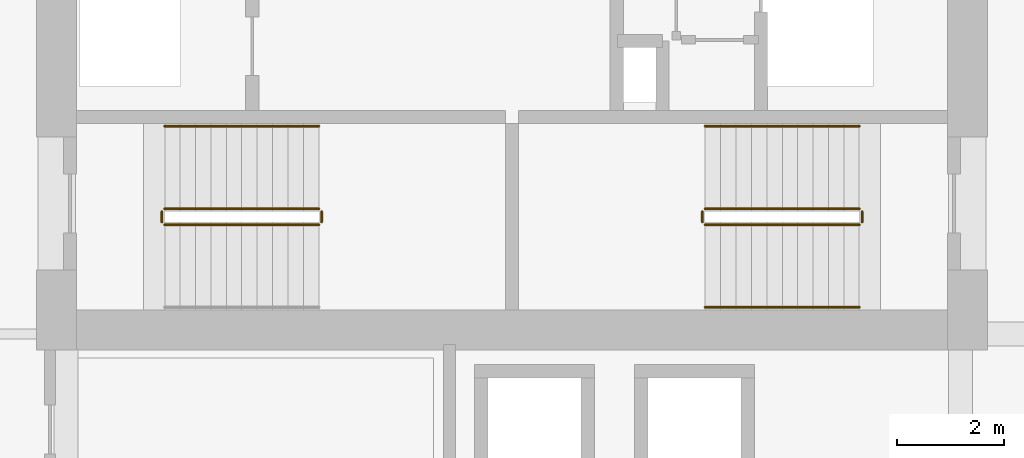
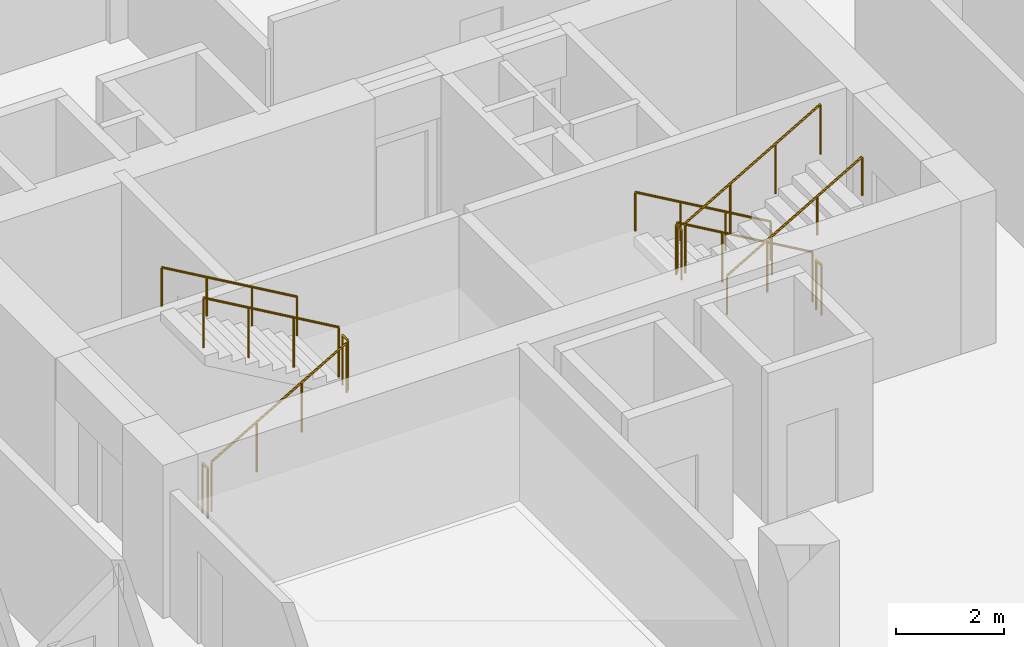
# One storey, part 20 of 22: 11 railings.
"""IFC4 building model written with IfcOpenShell, lengths in metres."""

import ifcopenshell
import ifcopenshell.guid

model = None  # the IFC model being written
_history = None  # IfcOwnerHistory: only IFC2X3 demands one
_inside = {}  # id of a spatial element -> (the spatial element, [elements in it])
_under = {}  # id of a project, library or spatial element -> (it, [spatial elements below it])
_declared = {}  # id of a project -> (the project, [libraries it declares])
_typed = {}  # id of a type object -> (the type object, [elements of that type])
_made_of = {}  # id of a material, layer set ... -> (it, [elements and type objects made of it])


def new_model(schema):
    """Start an empty IFC model of exactly this schema.

    Asked for "IFC4X3", IfcOpenShell would pick the latest addendum, in which some entities
    have other attributes; the version numbers below select the first issue.
    IFC2X3 requires an IfcOwnerHistory on every rooted entity: one is made here for all.
    """
    global model, _history
    if schema == "IFC4X3":
        model = ifcopenshell.file(schema_version=(4, 3, 0, 0))
    else:
        model = ifcopenshell.file(schema=schema)
    _inside.clear()
    _under.clear()
    _declared.clear()
    _typed.clear()
    _made_of.clear()
    _history = None
    if model.schema == "IFC2X3":
        org = make("IfcOrganization", Name="unknown")
        user = make(
            "IfcPersonAndOrganization",
            ThePerson=make("IfcPerson", FamilyName="unknown"),
            TheOrganization=org,
        )
        app = make(
            "IfcApplication",
            ApplicationDeveloper=org,
            Version="unknown",
            ApplicationFullName="unknown",
            ApplicationIdentifier="unknown",
        )
        _history = make(
            "IfcOwnerHistory",
            OwningUser=user,
            OwningApplication=app,
            ChangeAction="ADDED",
            CreationDate=0,
        )
    return model


def make(cls, **values):
    """One entity of the class cls with the attributes given. An attribute that is None is left unset."""
    return model.create_entity(
        cls, **{name: value for name, value in values.items() if value is not None}
    )


def rooted(cls, **values):
    """An entity with a GlobalId (a new one), such as an element, a storey or a relation."""
    return make(cls, GlobalId=ifcopenshell.guid.new(), OwnerHistory=_history, **values)


def si_unit(unit_type, name, prefix=None):
    """IfcSIUnit, for example si_unit("LENGTHUNIT", "METRE", prefix="MILLI")."""
    return make("IfcSIUnit", UnitType=unit_type, Prefix=prefix, Name=name)


def assignment(units):
    """IfcUnitAssignment: the units of a project."""
    return None if units is None else make("IfcUnitAssignment", Units=units)


def point(xyz):
    """IfcCartesianPoint."""
    return None if xyz is None else make("IfcCartesianPoint", Coordinates=xyz)


def direction(xyz):
    """IfcDirection."""
    return None if xyz is None else make("IfcDirection", DirectionRatios=xyz)


def frame(location, z_axis=None, x_axis=None):
    """IfcAxis2Placement3D, a coordinate frame: its origin and axes. An axis left out is left unset."""
    return make(
        "IfcAxis2Placement3D",
        Location=point(location),
        Axis=direction(z_axis),
        RefDirection=direction(x_axis),
    )


def frame_2d(location, x_axis=None):
    """IfcAxis2Placement2D, a coordinate frame in the plane: its origin and x axis."""
    return make(
        "IfcAxis2Placement2D", Location=point(location), RefDirection=direction(x_axis)
    )


def origin():
    """The frame at (0, 0, 0) with its axes left unset."""
    return frame((0.0, 0.0, 0.0))


def origin_2d():
    """The frame at (0, 0) in the plane with its x axis left unset."""
    return frame_2d((0.0, 0.0))


def place(relative_to, where):
    """IfcLocalPlacement: puts the frame where relative to a parent placement (None: the world)."""
    return make(
        "IfcLocalPlacement", PlacementRelTo=relative_to, RelativePlacement=where
    )


def context(
    kind, dimensions, precision=None, world=None, true_north=None, identifier=None
):
    """IfcGeometricRepresentationContext, for example the 3D "Model" context."""
    return make(
        "IfcGeometricRepresentationContext",
        ContextIdentifier=identifier,
        ContextType=kind,
        CoordinateSpaceDimension=dimensions,
        Precision=precision,
        WorldCoordinateSystem=world,
        TrueNorth=true_north,
    )


def subcontext(parent, identifier, kind, view, scale=None):
    """IfcGeometricRepresentationSubContext, for example "Body" below "Model"."""
    return make(
        "IfcGeometricRepresentationSubContext",
        ContextIdentifier=identifier,
        ContextType=kind,
        ParentContext=parent,
        TargetScale=scale,
        TargetView=view,
    )


def project(units=None, contexts=None):
    """IfcProject with its units and contexts."""
    return rooted(
        "IfcProject",
        Name="project",
        RepresentationContexts=contexts,
        UnitsInContext=assignment(units),
    )


def spatial(cls, under=None, at=None, **own):
    """A site, building, storey or space (cls), placed at a placement, below another one or the project."""
    s = rooted(cls, ObjectPlacement=at, **own)
    if under is not None:
        _under.setdefault(under.id(), (under, []))[1].append(s)
    return s


def profile(cls, at=None, kind="AREA", **sizes):
    """A parametric profile (cls). Its sizes go by their IFC names, for example OverallWidth=200.0."""
    return make(cls, ProfileType=kind, Position=at, **sizes)


def circle(**sizes):
    """IfcCircleProfileDef."""
    return profile("IfcCircleProfileDef", **sizes)


def extrude(swept, where, along, depth):
    """IfcExtrudedAreaSolid: the profile swept, set in the frame where, extruded along a direction by depth."""
    return make(
        "IfcExtrudedAreaSolid",
        SweptArea=swept,
        Position=where,
        ExtrudedDirection=direction(along),
        Depth=depth,
    )


def shape(context_of_items, identifier, shape_type, items):
    """IfcShapeRepresentation: the items that make up one representation, for example the "Body"."""
    return make(
        "IfcShapeRepresentation",
        ContextOfItems=context_of_items,
        RepresentationIdentifier=identifier,
        RepresentationType=shape_type,
        Items=items,
    )


def material(Name=None, Category=None):
    """IfcMaterial."""
    return make("IfcMaterial", Name=Name, Category=Category)


def made_of(thing, what):
    """Note that an element or type object is made of a material, layer set ...; save() writes the relation."""
    if what is not None:
        _made_of.setdefault(what.id(), (what, []))[1].append(thing)
    return thing


def type_object(cls, material=None, **own):
    """A type object (cls), such as IfcWallType, which elements share."""
    return made_of(rooted(cls, **own), material)


def element(
    cls,
    number,
    at=None,
    inside=None,
    cuts=None,
    type_object=None,
    material=None,
    context=None,
    identifier="Body",
    shape_type=None,
    held_by="IfcProductDefinitionShape",
    body=None,
    shapes=None,
    **own,
):
    """One element of the class cls, such as IfcWall. Its Tag is "e" and its number.

    at: its placement. inside: the storey or other place that contains it. cuts: it is an
    opening in that element (IfcRelVoidsElement). A single representation is given by context,
    identifier, shape_type and body (its items); several are given by shapes. held_by: the class
    of the entity that holds the representations. save() writes the other relations.
    """
    e = rooted(cls, Tag="e%d" % number, ObjectPlacement=at, **own)
    if body is not None:
        shapes = [shape(context, identifier, shape_type, body)]
    if shapes is not None:
        e.Representation = make(held_by, Representations=shapes)
    if inside is not None:
        _inside.setdefault(inside.id(), (inside, []))[1].append(e)
    if cuts is not None:
        rooted(
            "IfcRelVoidsElement", RelatingBuildingElement=cuts, RelatedOpeningElement=e
        )
    if type_object is not None:
        _typed.setdefault(type_object.id(), (type_object, []))[1].append(e)
    return made_of(e, material)


def aggregate(whole, parts):
    """IfcRelAggregates: a whole, such as a stair, and the parts it consists of."""
    return rooted("IfcRelAggregates", RelatingObject=whole, RelatedObjects=parts)


def save(model, path):
    """Write the relations noted so far, then the file.

    IfcRelAggregates (storeys below a building ...), IfcRelContainedInSpatialStructure (elements
    in a storey), IfcRelDefinesByType, IfcRelAssociatesMaterial and IfcRelDeclares: one each for
    every whole, place, type object, material and project.
    """
    for whole, parts in _under.values():
        aggregate(whole, parts)
    for where, things in _inside.values():
        rooted(
            "IfcRelContainedInSpatialStructure",
            RelatedElements=things,
            RelatingStructure=where,
        )
    for kind, things in _typed.values():
        rooted("IfcRelDefinesByType", RelatedObjects=things, RelatingType=kind)
    for what, things in _made_of.values():
        rooted("IfcRelAssociatesMaterial", RelatedObjects=things, RelatingMaterial=what)
    for by, libraries in _declared.values():
        rooted("IfcRelDeclares", RelatingContext=by, RelatedDefinitions=libraries)
    model.write(path)


model = new_model("IFC4")

# Units and contexts
model_context = context("Model", 3, precision=1e-05, world=origin(), true_north=direction((0.0, 1.0)))
body_context = subcontext(model_context, "Body", "Model", "MODEL_VIEW")
ifc_project = project(units=[si_unit("LENGTHUNIT", "METRE"), si_unit("AREAUNIT", "SQUARE_METRE"), si_unit("VOLUMEUNIT", "CUBIC_METRE"), si_unit("PLANEANGLEUNIT", "RADIAN"), si_unit("MASSUNIT", "GRAM", prefix="KILO")], contexts=[model_context])

# Site, building, storey
site_placement = place(None, origin())
site = spatial("IfcSite", under=ifc_project, at=site_placement, CompositionType="ELEMENT")
building_placement = place(site_placement, origin())
building = spatial("IfcBuilding", under=site, at=building_placement, Name="Koriwani Terraces Tower", CompositionType="ELEMENT")
storey_placement = place(building_placement, frame((0.0, 0.0, 182.800048828125)))
storey = spatial("IfcBuildingStorey", under=building, at=storey_placement, Name="L44", CompositionType="ELEMENT", Elevation=182.800048828125)

# Railings
ifc_material = material(Name="Steel ASTM A572 Grade 50", Category="steel")
railing_type_1 = type_object("IfcRailingType", Name="GUARD_STAIR_WELL_1120", PredefinedType="GUARDRAIL", material=ifc_material)
railing_1_placement = place(storey_placement, frame((43.85009765625, 18.85009765625, 0.168212890625)))
element("IfcRailing", 1, at=railing_1_placement, inside=storey, type_object=railing_type_1, Name="L44 ST-E1 stair guard 1", PredefinedType="GUARDRAIL", context=body_context, shape_type="SweptSolid", body=[
    extrude(circle(Radius=0.02392578125, at=origin_2d()), frame((0.0, 0.0, 1.1259765625), z_axis=(0.86507038078, 0.0, 0.501650512107), x_axis=(0.0, 1.0, 0.0)), (0.0, 0.0, 1.0), 3.352294921875),
    extrude(circle(Radius=0.02099609375, at=origin_2d()), origin(), (0.0, 0.0, 1.0), 1.101806640625),
    extrude(circle(Radius=0.02099609375, at=origin_2d()), frame((0.966552734375, 0.0, 0.560546875)), (0.0, 0.0, 1.0), 1.101806640625),
    extrude(circle(Radius=0.02099609375, at=origin_2d()), frame((1.933349609375, 0.0, 1.12109375)), (0.0, 0.0, 1.0), 1.101806640625),
    extrude(circle(Radius=0.02099609375, at=origin_2d()), frame((2.89990234375, 0.0, 1.681640625)), (0.0, 0.0, 1.0), 1.101806640625),
])
railing_2_placement = place(storey_placement, frame((46.800048828125, 18.89990234375, 1.849853515625)))
element("IfcRailing", 2, at=railing_2_placement, inside=storey, type_object=railing_type_1, Name="L44 ST-E1 stair guard 2", PredefinedType="GUARDRAIL", context=body_context, shape_type="SweptSolid", body=[
    extrude(circle(Radius=0.02392578125, at=origin_2d()), frame((0.0, 0.0, 1.1259765625), z_axis=(0.0, 1.0, 0.0), x_axis=(-1.0, 0.0, 0.0)), (0.0, 0.0, 1.0), 0.2001953125),
    extrude(circle(Radius=0.02099609375, at=origin_2d()), origin(), (0.0, 0.0, 1.0), 1.101806640625),
    extrude(circle(Radius=0.02099609375, at=origin_2d()), frame((0.0, 0.2001953125, 0.0)), (0.0, 0.0, 1.0), 1.101806640625),
])
railing_3_placement = place(storey_placement, frame((46.75, 19.14990234375, 2.01806640625)))
element("IfcRailing", 3, at=railing_3_placement, inside=storey, type_object=railing_type_1, Name="L44 ST-E1 stair guard 3", PredefinedType="GUARDRAIL", context=body_context, shape_type="SweptSolid", body=[
    extrude(circle(Radius=0.02392578125, at=origin_2d()), frame((0.0, 0.0, 1.1259765625), z_axis=(-0.865038774852, 0.0, 0.501705010941), x_axis=(0.0, -1.0, 0.0)), (0.0, 0.0, 1.0), 3.352294921875),
    extrude(circle(Radius=0.02099609375, at=origin_2d()), origin(), (0.0, 0.0, 1.0), 1.101806640625),
    extrude(circle(Radius=0.02099609375, at=origin_2d()), frame((-0.966552734375, 0.0, 0.560546875)), (0.0, 0.0, 1.0), 1.101806640625),
    extrude(circle(Radius=0.02099609375, at=origin_2d()), frame((-1.933349609375, 0.0, 1.121337890625)), (0.0, 0.0, 1.0), 1.101806640625),
    extrude(circle(Radius=0.02099609375, at=origin_2d()), frame((-2.89990234375, 0.0, 1.681884765625)), (0.0, 0.0, 1.0), 1.101806640625),
])
railing_4_placement = place(storey_placement, frame((43.800048828125, 18.89990234375, 0.0)))
element("IfcRailing", 4, at=railing_4_placement, inside=storey, type_object=railing_type_1, Name="L44 ST-E1 stair guard 4", PredefinedType="GUARDRAIL", context=body_context, shape_type="SweptSolid", body=[
    extrude(circle(Radius=0.02392578125, at=origin_2d()), frame((0.0, 0.0, 1.1259765625), z_axis=(0.0, 1.0, 0.0), x_axis=(-1.0, 0.0, 0.0)), (0.0, 0.0, 1.0), 0.2001953125),
    extrude(circle(Radius=0.02099609375, at=origin_2d()), origin(), (0.0, 0.0, 1.0), 1.101806640625),
    extrude(circle(Radius=0.02099609375, at=origin_2d()), frame((0.0, 0.2001953125, 0.0)), (0.0, 0.0, 1.0), 1.101806640625),
])
railing_5_placement = place(storey_placement, frame((56.89990234375, 19.14990234375, 0.168212890625)))
element("IfcRailing", 5, at=railing_5_placement, inside=storey, type_object=railing_type_1, Name="L44 ST-E2 stair guard 1", PredefinedType="GUARDRAIL", context=body_context, shape_type="SweptSolid", body=[
    extrude(circle(Radius=0.02392578125, at=origin_2d()), frame((0.0, 0.0, 1.1259765625), z_axis=(-0.86507038078, 0.0, 0.501650512107), x_axis=(0.0, -1.0, 0.0)), (0.0, 0.0, 1.0), 3.352294921875),
    extrude(circle(Radius=0.02099609375, at=origin_2d()), origin(), (0.0, 0.0, 1.0), 1.101806640625),
    extrude(circle(Radius=0.02099609375, at=origin_2d()), frame((-0.966552734375, 0.0, 0.560546875)), (0.0, 0.0, 1.0), 1.101806640625),
    extrude(circle(Radius=0.02099609375, at=origin_2d()), frame((-1.933349609375, 0.0, 1.12109375)), (0.0, 0.0, 1.0), 1.101806640625),
    extrude(circle(Radius=0.02099609375, at=origin_2d()), frame((-2.89990234375, 0.0, 1.681640625)), (0.0, 0.0, 1.0), 1.101806640625),
])
railing_6_placement = place(storey_placement, frame((53.949951171875, 19.10009765625, 1.849853515625)))
element("IfcRailing", 6, at=railing_6_placement, inside=storey, type_object=railing_type_1, Name="L44 ST-E2 stair guard 2", PredefinedType="GUARDRAIL", context=body_context, shape_type="SweptSolid", body=[
    extrude(circle(Radius=0.02392578125, at=origin_2d()), frame((0.0, 0.0, 1.1259765625), z_axis=(0.0, -1.0, 0.0), x_axis=(1.0, 0.0, 0.0)), (0.0, 0.0, 1.0), 0.2001953125),
    extrude(circle(Radius=0.02099609375, at=origin_2d()), origin(), (0.0, 0.0, 1.0), 1.101806640625),
    extrude(circle(Radius=0.02099609375, at=origin_2d()), frame((0.0, -0.2001953125, 0.0)), (0.0, 0.0, 1.0), 1.101806640625),
])
railing_7_placement = place(storey_placement, frame((54.0, 18.85009765625, 2.01806640625)))
element("IfcRailing", 7, at=railing_7_placement, inside=storey, type_object=railing_type_1, Name="L44 ST-E2 stair guard 3", PredefinedType="GUARDRAIL", context=body_context, shape_type="SweptSolid", body=[
    extrude(circle(Radius=0.02392578125, at=origin_2d()), frame((0.0, 0.0, 1.1259765625), z_axis=(0.865038774852, 0.0, 0.501705010941), x_axis=(0.0, 1.0, 0.0)), (0.0, 0.0, 1.0), 3.352294921875),
    extrude(circle(Radius=0.02099609375, at=origin_2d()), origin(), (0.0, 0.0, 1.0), 1.101806640625),
    extrude(circle(Radius=0.02099609375, at=origin_2d()), frame((0.966552734375, 0.0, 0.560546875)), (0.0, 0.0, 1.0), 1.101806640625),
    extrude(circle(Radius=0.02099609375, at=origin_2d()), frame((1.933349609375, 0.0, 1.121337890625)), (0.0, 0.0, 1.0), 1.101806640625),
    extrude(circle(Radius=0.02099609375, at=origin_2d()), frame((2.89990234375, 0.0, 1.681884765625)), (0.0, 0.0, 1.0), 1.101806640625),
])
railing_8_placement = place(storey_placement, frame((56.949951171875, 19.10009765625, 0.0)))
element("IfcRailing", 8, at=railing_8_placement, inside=storey, type_object=railing_type_1, Name="L44 ST-E2 stair guard 4", PredefinedType="GUARDRAIL", context=body_context, shape_type="SweptSolid", body=[
    extrude(circle(Radius=0.02392578125, at=origin_2d()), frame((0.0, 0.0, 1.1259765625), z_axis=(0.0, -1.0, 0.0), x_axis=(1.0, 0.0, 0.0)), (0.0, 0.0, 1.0), 0.2001953125),
    extrude(circle(Radius=0.02099609375, at=origin_2d()), origin(), (0.0, 0.0, 1.0), 1.101806640625),
    extrude(circle(Radius=0.02099609375, at=origin_2d()), frame((0.0, -0.2001953125, 0.0)), (0.0, 0.0, 1.0), 1.101806640625),
])
railing_type_2 = type_object("IfcRailingType", Name="HANDRAIL_STAIR_920", PredefinedType="HANDRAIL", material=ifc_material)
railing_9_placement = place(storey_placement, frame((46.75, 20.699951171875, 2.01806640625)))
element("IfcRailing", 9, at=railing_9_placement, inside=storey, type_object=railing_type_2, Name="L44 ST-E1 stair handrail 2", PredefinedType="HANDRAIL", context=body_context, shape_type="SweptSolid", body=[
    extrude(circle(Radius=0.02392578125, at=origin_2d()), frame((0.0, 0.0, 0.8759765625), z_axis=(-0.865038774852, 0.0, 0.501705010941), x_axis=(0.0, -1.0, 0.0)), (0.0, 0.0, 1.0), 3.352294921875),
    extrude(circle(Radius=0.02099609375, at=origin_2d()), origin(), (0.0, 0.0, 1.0), 0.851806640625),
    extrude(circle(Radius=0.02099609375, at=origin_2d()), frame((-0.966552734375, 0.0, 0.560546875)), (0.0, 0.0, 1.0), 0.851806640625),
    extrude(circle(Radius=0.02099609375, at=origin_2d()), frame((-1.933349609375, 0.0, 1.121337890625)), (0.0, 0.0, 1.0), 0.851806640625),
    extrude(circle(Radius=0.02099609375, at=origin_2d()), frame((-2.89990234375, 0.0, 1.681884765625)), (0.0, 0.0, 1.0), 0.851806640625),
])
railing_10_placement = place(storey_placement, frame((56.89990234375, 20.699951171875, 0.168212890625)))
element("IfcRailing", 10, at=railing_10_placement, inside=storey, type_object=railing_type_2, Name="L44 ST-E2 stair handrail 1", PredefinedType="HANDRAIL", context=body_context, shape_type="SweptSolid", body=[
    extrude(circle(Radius=0.02392578125, at=origin_2d()), frame((0.0, 0.0, 0.8759765625), z_axis=(-0.86507038078, 0.0, 0.501650512107), x_axis=(0.0, -1.0, 0.0)), (0.0, 0.0, 1.0), 3.352294921875),
    extrude(circle(Radius=0.02099609375, at=origin_2d()), origin(), (0.0, 0.0, 1.0), 0.851806640625),
    extrude(circle(Radius=0.02099609375, at=origin_2d()), frame((-0.966552734375, 0.0, 0.560546875)), (0.0, 0.0, 1.0), 0.851806640625),
    extrude(circle(Radius=0.02099609375, at=origin_2d()), frame((-1.933349609375, 0.0, 1.12109375)), (0.0, 0.0, 1.0), 0.851806640625),
    extrude(circle(Radius=0.02099609375, at=origin_2d()), frame((-2.89990234375, 0.0, 1.681640625)), (0.0, 0.0, 1.0), 0.851806640625),
])
railing_11_placement = place(storey_placement, frame((54.0, 17.300048828125, 2.01806640625)))
element("IfcRailing", 11, at=railing_11_placement, inside=storey, type_object=railing_type_2, Name="L44 ST-E2 stair handrail 2", PredefinedType="HANDRAIL", context=body_context, shape_type="SweptSolid", body=[
    extrude(circle(Radius=0.02392578125, at=origin_2d()), frame((0.0, 0.0, 0.8759765625), z_axis=(0.865038774852, 0.0, 0.501705010941), x_axis=(0.0, 1.0, 0.0)), (0.0, 0.0, 1.0), 3.352294921875),
    extrude(circle(Radius=0.02099609375, at=origin_2d()), origin(), (0.0, 0.0, 1.0), 0.851806640625),
    extrude(circle(Radius=0.02099609375, at=origin_2d()), frame((0.966552734375, 0.0, 0.560546875)), (0.0, 0.0, 1.0), 0.851806640625),
    extrude(circle(Radius=0.02099609375, at=origin_2d()), frame((1.933349609375, 0.0, 1.121337890625)), (0.0, 0.0, 1.0), 0.851806640625),
    extrude(circle(Radius=0.02099609375, at=origin_2d()), frame((2.89990234375, 0.0, 1.681884765625)), (0.0, 0.0, 1.0), 0.851806640625),
])

save(model, "model.ifc")
